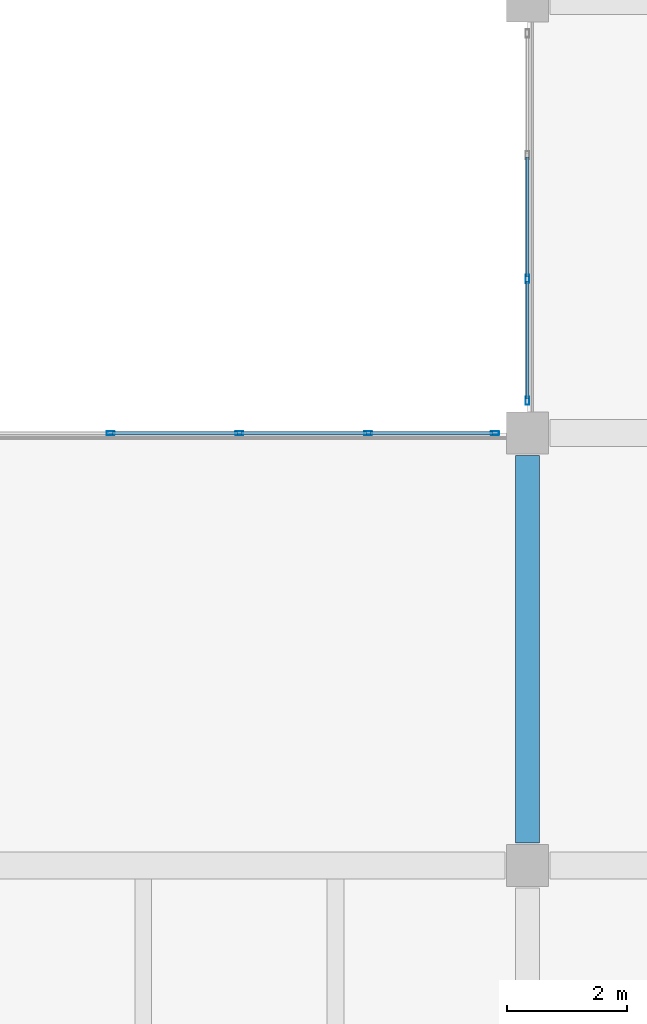
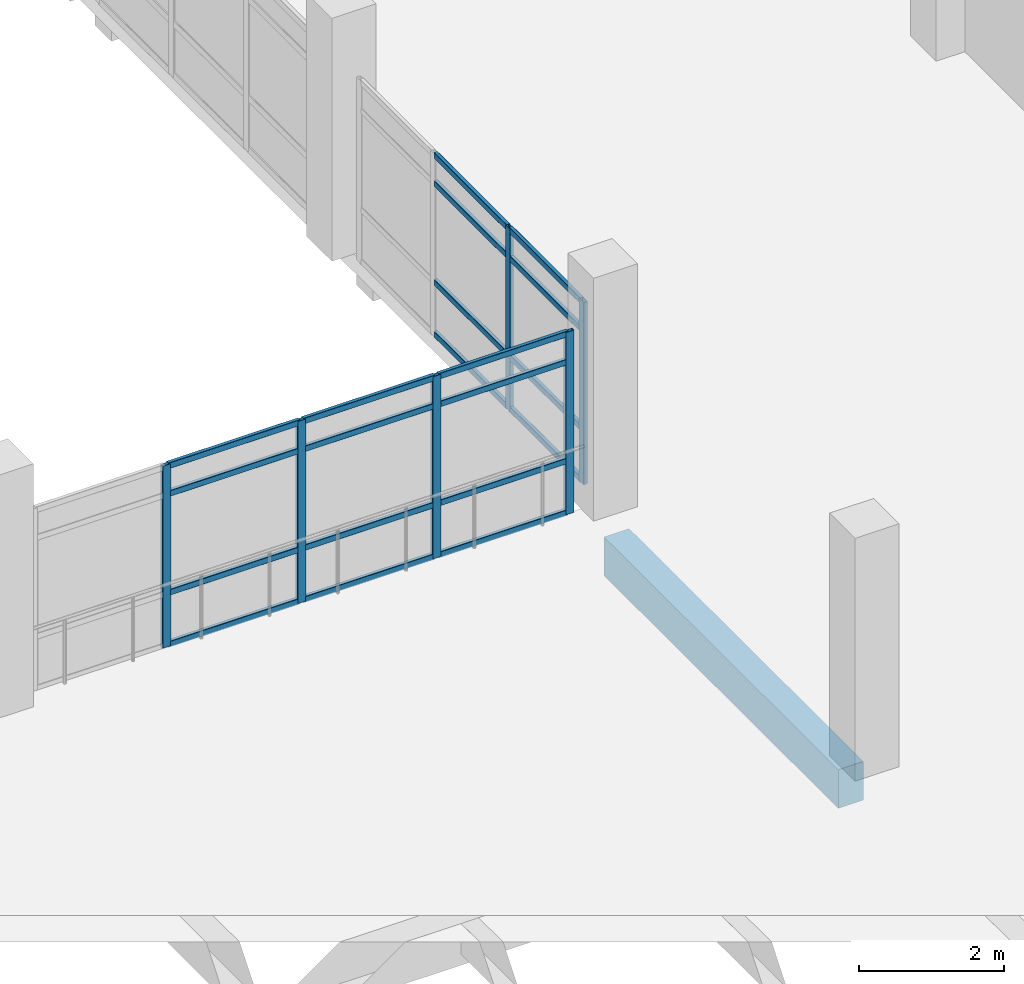
# One storey, part 114 of 180: 26 members, 1 beam, 2 elements without a shape of their own.
"""IFC4 building model written with IfcOpenShell, lengths in metres."""

from ifc_helpers import new_model, si_unit, direction, frame, origin, origin_2d, place, context, subcontext, project, spatial, rectangle, hollow_rectangle, extrude, material, layer, layer_set, material_profile, profile_set, type_object, element, aggregate, save


model = new_model("IFC4")

# Units and contexts
model_context = context("Model", 3, precision=1e-05, world=origin(), true_north=direction((0.0, 1.0)))
body_context = subcontext(model_context, "Body", "Model", "MODEL_VIEW")
ifc_project = project(units=[si_unit("LENGTHUNIT", "METRE"), si_unit("AREAUNIT", "SQUARE_METRE"), si_unit("VOLUMEUNIT", "CUBIC_METRE"), si_unit("PLANEANGLEUNIT", "RADIAN"), si_unit("MASSUNIT", "GRAM", prefix="KILO")], contexts=[model_context])

# Site, building, storey
site_placement = place(None, origin())
site = spatial("IfcSite", under=ifc_project, at=site_placement, CompositionType="ELEMENT")
building_placement = place(site_placement, origin())
building = spatial("IfcBuilding", under=site, at=building_placement, Name="Asteropetra Specialist Clinic", CompositionType="ELEMENT")
storey_placement = place(building_placement, frame((0.0, 0.0, 4.419921875)))
storey = spatial("IfcBuildingStorey", under=building, at=storey_placement, Name="L01", CompositionType="ELEMENT", Elevation=4.419921875)

# Beam
ifc_material_1 = material(Name="Concrete C35/45", Category="concrete")
ifc_material_profile_1 = material_profile(ifc_material_1, rectangle(XDim=0.39990234375, YDim=0.64990234375, at=origin_2d()), Name="RCB 400x650")
ifc_profile_set_1 = profile_set([ifc_material_profile_1], Name="Concrete C35/45")
beam_type = type_object("IfcBeamType", Name="BM-RC400x650", PredefinedType="BEAM", material=ifc_profile_set_1)
beam_placement = place(storey_placement, frame((134.39990234375, 12.375, -0.625), z_axis=(0.0, 1.0, 0.0), x_axis=(-1.0, 0.0, 0.0)))
element("IfcBeam", 1, at=beam_placement, inside=storey, type_object=beam_type, Name="Beam BBM07-0476", PredefinedType="BEAM", context=body_context, shape_type="SweptSolid", body=[
    extrude(rectangle(XDim=0.39990234375, YDim=0.64990234375, at=origin_2d()), origin(), (0.0, 0.0, 1.0), 6.449951171875),
])

# Curtain wall, members
ifc_material_2 = material(Name="Aluminium and low-E glass", Category="aluminium")
ifc_layer_1 = layer(ifc_material_2, 0.14990234375)
ifc_layer_set_1 = layer_set([ifc_layer_1], Name="Aluminium and low-E glass")
curtain_wall_type_1 = type_object("IfcCurtainWallType", Name="CW-SYS-08", PredefinedType="USERDEFINED", material=ifc_layer_set_1)
curtain_wall_1_placement = place(storey_placement, origin())
curtain_wall_1 = element("IfcCurtainWall", 2, at=curtain_wall_1_placement, inside=storey, type_object=curtain_wall_type_1, Name="Curtain Wall CW-071", ObjectType="STICK GLAZED COLONNADE", PredefinedType="USERDEFINED")
ifc_material_3 = material(Name="Aluminium 6063-T6", Category="aluminium")
ifc_material_profile_2 = material_profile(ifc_material_3, hollow_rectangle(XDim=0.06005859375, YDim=0.135009765625, WallThickness=0.00341796875, InnerFilletRadius=0.00341796875, OuterFilletRadius=0.007080078125, at=origin_2d()), Name="MUL 135x60x3.5")
ifc_profile_set_2 = profile_set([ifc_material_profile_2], Name="Aluminium 6063-T6")
member_type_1 = type_object("IfcMemberType", Name="CWM-135x60", PredefinedType="MULLION", material=ifc_profile_set_2)
member_1_placement = place(storey_placement, frame((127.455078125, 19.199951171875, 0.0), z_axis=(0.0, 0.0, 1.0), x_axis=(0.0, 1.0, 0.0)))
member_1 = element("IfcMember", 3, at=member_1_placement, type_object=member_type_1, Name="CW-071 mullion 2", PredefinedType="MULLION", context=body_context, shape_type="SweptSolid", body=[
    extrude(hollow_rectangle(XDim=0.06005859375, YDim=0.135009765625, WallThickness=0.00341796875, InnerFilletRadius=0.00341796875, OuterFilletRadius=0.007080078125, at=origin_2d()), origin(), (0.0, 0.0, 1.0), 3.06005859375),
])
member_2_placement = place(storey_placement, frame((129.60009765625, 19.199951171875, 0.0), z_axis=(0.0, 0.0, 1.0), x_axis=(0.0, 1.0, 0.0)))
member_2 = element("IfcMember", 4, at=member_2_placement, type_object=member_type_1, Name="CW-071 mullion 3", PredefinedType="MULLION", context=body_context, shape_type="SweptSolid", body=[
    extrude(hollow_rectangle(XDim=0.06005859375, YDim=0.135009765625, WallThickness=0.00341796875, InnerFilletRadius=0.00341796875, OuterFilletRadius=0.007080078125, at=origin_2d()), origin(), (0.0, 0.0, 1.0), 3.06005859375),
])
member_3_placement = place(storey_placement, frame((131.7451171875, 19.199951171875, 0.0), z_axis=(0.0, 0.0, 1.0), x_axis=(0.0, 1.0, 0.0)))
member_3 = element("IfcMember", 5, at=member_3_placement, type_object=member_type_1, Name="CW-071 mullion 4", PredefinedType="MULLION", context=body_context, shape_type="SweptSolid", body=[
    extrude(hollow_rectangle(XDim=0.06005859375, YDim=0.135009765625, WallThickness=0.00341796875, InnerFilletRadius=0.00341796875, OuterFilletRadius=0.007080078125, at=origin_2d()), origin(), (0.0, 0.0, 1.0), 3.06005859375),
])
member_4_placement = place(storey_placement, frame((133.860107421875, 19.199951171875, 0.0), z_axis=(0.0, 0.0, 1.0), x_axis=(0.0, 1.0, 0.0)))
member_4 = element("IfcMember", 6, at=member_4_placement, type_object=member_type_1, Name="CW-071 mullion 5", PredefinedType="MULLION", context=body_context, shape_type="SweptSolid", body=[
    extrude(hollow_rectangle(XDim=0.06005859375, YDim=0.135009765625, WallThickness=0.00341796875, InnerFilletRadius=0.00341796875, OuterFilletRadius=0.007080078125, at=origin_2d()), origin(), (0.0, 0.0, 1.0), 3.06005859375),
])

ifc_material_4 = material(Name="Aluminium and low-E glass", Category="aluminium")
ifc_layer_2 = layer(ifc_material_4, 0.14990234375)
ifc_layer_set_2 = layer_set([ifc_layer_2], Name="Aluminium and low-E glass")
curtain_wall_type_2 = type_object("IfcCurtainWallType", Name="CW-SYS-11", PredefinedType="USERDEFINED", material=ifc_layer_set_2)
curtain_wall_2_placement = place(storey_placement, origin())
curtain_wall_2 = element("IfcCurtainWall", 7, at=curtain_wall_2_placement, inside=storey, type_object=curtain_wall_type_2, Name="Curtain Wall CW-074", ObjectType="STICK GLAZED COLONNADE", PredefinedType="USERDEFINED")
member_5_placement = place(storey_placement, frame((134.39990234375, 19.739990234375, 0.0), z_axis=(0.0, 0.0, 1.0), x_axis=(-1.0, 0.0, 0.0)))
member_5 = element("IfcMember", 8, at=member_5_placement, type_object=member_type_1, Name="CW-074 mullion 1", PredefinedType="MULLION", context=body_context, shape_type="SweptSolid", body=[
    extrude(hollow_rectangle(XDim=0.06005859375, YDim=0.135009765625, WallThickness=0.00341796875, InnerFilletRadius=0.00341796875, OuterFilletRadius=0.007080078125, at=origin_2d()), origin(), (0.0, 0.0, 1.0), 3.06005859375),
])
member_6_placement = place(storey_placement, frame((134.39990234375, 21.77001953125, 0.0), z_axis=(0.0, 0.0, 1.0), x_axis=(-1.0, 0.0, 0.0)))
member_6 = element("IfcMember", 9, at=member_6_placement, type_object=member_type_1, Name="CW-074 mullion 2", PredefinedType="MULLION", context=body_context, shape_type="SweptSolid", body=[
    extrude(hollow_rectangle(XDim=0.06005859375, YDim=0.135009765625, WallThickness=0.00341796875, InnerFilletRadius=0.00341796875, OuterFilletRadius=0.007080078125, at=origin_2d()), origin(), (0.0, 0.0, 1.0), 3.06005859375),
])

# Member
ifc_material_5 = material(Name="Aluminium 6063-T6", Category="aluminium")
ifc_material_profile_3 = material_profile(ifc_material_5, hollow_rectangle(XDim=0.06005859375, YDim=0.10009765625, WallThickness=0.00341796875, InnerFilletRadius=0.00341796875, OuterFilletRadius=0.007080078125, at=origin_2d()), Name="TRN 100x60x3.5")
ifc_profile_set_3 = profile_set([ifc_material_profile_3], Name="Aluminium 6063-T6")
member_type_2 = type_object("IfcMemberType", Name="CWT-100x60", PredefinedType="USERDEFINED", material=ifc_profile_set_3)
member_7_placement = place(storey_placement, frame((127.485107421875, 19.199951171875, 0.030029296875), z_axis=(1.0, 0.0, 0.0), x_axis=(0.0, 1.0, 0.0)))
member_7 = element("IfcMember", 10, at=member_7_placement, type_object=member_type_2, Name="CW-071 transom 2.1", ObjectType="TRANSOM", PredefinedType="USERDEFINED", context=body_context, shape_type="SweptSolid", body=[
    extrude(hollow_rectangle(XDim=0.06005859375, YDim=0.10009765625, WallThickness=0.00341796875, InnerFilletRadius=0.00341796875, OuterFilletRadius=0.007080078125, at=origin_2d()), origin(), (0.0, 0.0, 1.0), 2.0849609375),
])

member_8_placement = place(storey_placement, frame((127.485107421875, 19.199951171875, 0.900146484375), z_axis=(1.0, 0.0, 0.0), x_axis=(0.0, 1.0, 0.0)))
member_8 = element("IfcMember", 11, at=member_8_placement, type_object=member_type_2, Name="CW-071 transom 2.2", ObjectType="TRANSOM", PredefinedType="USERDEFINED", context=body_context, shape_type="SweptSolid", body=[
    extrude(hollow_rectangle(XDim=0.06005859375, YDim=0.10009765625, WallThickness=0.00341796875, InnerFilletRadius=0.00341796875, OuterFilletRadius=0.007080078125, at=origin_2d()), origin(), (0.0, 0.0, 1.0), 2.0849609375),
])

member_9_placement = place(storey_placement, frame((127.485107421875, 19.199951171875, 2.56005859375), z_axis=(1.0, 0.0, 0.0), x_axis=(0.0, 1.0, 0.0)))
member_9 = element("IfcMember", 12, at=member_9_placement, type_object=member_type_2, Name="CW-071 transom 2.3", ObjectType="TRANSOM", PredefinedType="USERDEFINED", context=body_context, shape_type="SweptSolid", body=[
    extrude(hollow_rectangle(XDim=0.06005859375, YDim=0.10009765625, WallThickness=0.00341796875, InnerFilletRadius=0.00341796875, OuterFilletRadius=0.007080078125, at=origin_2d()), origin(), (0.0, 0.0, 1.0), 2.0849609375),
])

member_10_placement = place(storey_placement, frame((127.485107421875, 19.199951171875, 3.030029296875), z_axis=(1.0, 0.0, 0.0), x_axis=(0.0, 1.0, 0.0)))
member_10 = element("IfcMember", 13, at=member_10_placement, type_object=member_type_2, Name="CW-071 transom 2.4", ObjectType="TRANSOM", PredefinedType="USERDEFINED", context=body_context, shape_type="SweptSolid", body=[
    extrude(hollow_rectangle(XDim=0.06005859375, YDim=0.10009765625, WallThickness=0.00341796875, InnerFilletRadius=0.00341796875, OuterFilletRadius=0.007080078125, at=origin_2d()), origin(), (0.0, 0.0, 1.0), 2.0849609375),
])

member_11_placement = place(storey_placement, frame((129.6298828125, 19.199951171875, 0.030029296875), z_axis=(1.0, 0.0, 0.0), x_axis=(0.0, 1.0, 0.0)))
member_11 = element("IfcMember", 14, at=member_11_placement, type_object=member_type_2, Name="CW-071 transom 3.1", ObjectType="TRANSOM", PredefinedType="USERDEFINED", context=body_context, shape_type="SweptSolid", body=[
    extrude(hollow_rectangle(XDim=0.06005859375, YDim=0.10009765625, WallThickness=0.00341796875, InnerFilletRadius=0.00341796875, OuterFilletRadius=0.007080078125, at=origin_2d()), origin(), (0.0, 0.0, 1.0), 2.085205078125),
])

member_12_placement = place(storey_placement, frame((129.6298828125, 19.199951171875, 0.900146484375), z_axis=(1.0, 0.0, 0.0), x_axis=(0.0, 1.0, 0.0)))
member_12 = element("IfcMember", 15, at=member_12_placement, type_object=member_type_2, Name="CW-071 transom 3.2", ObjectType="TRANSOM", PredefinedType="USERDEFINED", context=body_context, shape_type="SweptSolid", body=[
    extrude(hollow_rectangle(XDim=0.06005859375, YDim=0.10009765625, WallThickness=0.00341796875, InnerFilletRadius=0.00341796875, OuterFilletRadius=0.007080078125, at=origin_2d()), origin(), (0.0, 0.0, 1.0), 2.085205078125),
])

member_13_placement = place(storey_placement, frame((129.6298828125, 19.199951171875, 2.56005859375), z_axis=(1.0, 0.0, 0.0), x_axis=(0.0, 1.0, 0.0)))
member_13 = element("IfcMember", 16, at=member_13_placement, type_object=member_type_2, Name="CW-071 transom 3.3", ObjectType="TRANSOM", PredefinedType="USERDEFINED", context=body_context, shape_type="SweptSolid", body=[
    extrude(hollow_rectangle(XDim=0.06005859375, YDim=0.10009765625, WallThickness=0.00341796875, InnerFilletRadius=0.00341796875, OuterFilletRadius=0.007080078125, at=origin_2d()), origin(), (0.0, 0.0, 1.0), 2.085205078125),
])

member_14_placement = place(storey_placement, frame((129.6298828125, 19.199951171875, 3.030029296875), z_axis=(1.0, 0.0, 0.0), x_axis=(0.0, 1.0, 0.0)))
member_14 = element("IfcMember", 17, at=member_14_placement, type_object=member_type_2, Name="CW-071 transom 3.4", ObjectType="TRANSOM", PredefinedType="USERDEFINED", context=body_context, shape_type="SweptSolid", body=[
    extrude(hollow_rectangle(XDim=0.06005859375, YDim=0.10009765625, WallThickness=0.00341796875, InnerFilletRadius=0.00341796875, OuterFilletRadius=0.007080078125, at=origin_2d()), origin(), (0.0, 0.0, 1.0), 2.085205078125),
])

member_15_placement = place(storey_placement, frame((131.77490234375, 19.199951171875, 0.030029296875), z_axis=(1.0, 0.0, 0.0), x_axis=(0.0, 1.0, 0.0)))
member_15 = element("IfcMember", 18, at=member_15_placement, type_object=member_type_2, Name="CW-071 transom 4.1", ObjectType="TRANSOM", PredefinedType="USERDEFINED", context=body_context, shape_type="SweptSolid", body=[
    extrude(hollow_rectangle(XDim=0.06005859375, YDim=0.10009765625, WallThickness=0.00341796875, InnerFilletRadius=0.00341796875, OuterFilletRadius=0.007080078125, at=origin_2d()), origin(), (0.0, 0.0, 1.0), 2.05517578125),
])

member_16_placement = place(storey_placement, frame((131.77490234375, 19.199951171875, 0.900146484375), z_axis=(1.0, 0.0, 0.0), x_axis=(0.0, 1.0, 0.0)))
member_16 = element("IfcMember", 19, at=member_16_placement, type_object=member_type_2, Name="CW-071 transom 4.2", ObjectType="TRANSOM", PredefinedType="USERDEFINED", context=body_context, shape_type="SweptSolid", body=[
    extrude(hollow_rectangle(XDim=0.06005859375, YDim=0.10009765625, WallThickness=0.00341796875, InnerFilletRadius=0.00341796875, OuterFilletRadius=0.007080078125, at=origin_2d()), origin(), (0.0, 0.0, 1.0), 2.05517578125),
])

member_17_placement = place(storey_placement, frame((131.77490234375, 19.199951171875, 2.56005859375), z_axis=(1.0, 0.0, 0.0), x_axis=(0.0, 1.0, 0.0)))
member_17 = element("IfcMember", 20, at=member_17_placement, type_object=member_type_2, Name="CW-071 transom 4.3", ObjectType="TRANSOM", PredefinedType="USERDEFINED", context=body_context, shape_type="SweptSolid", body=[
    extrude(hollow_rectangle(XDim=0.06005859375, YDim=0.10009765625, WallThickness=0.00341796875, InnerFilletRadius=0.00341796875, OuterFilletRadius=0.007080078125, at=origin_2d()), origin(), (0.0, 0.0, 1.0), 2.05517578125),
])

member_18_placement = place(storey_placement, frame((131.77490234375, 19.199951171875, 3.030029296875), z_axis=(1.0, 0.0, 0.0), x_axis=(0.0, 1.0, 0.0)))
member_18 = element("IfcMember", 21, at=member_18_placement, type_object=member_type_2, Name="CW-071 transom 4.4", ObjectType="TRANSOM", PredefinedType="USERDEFINED", context=body_context, shape_type="SweptSolid", body=[
    extrude(hollow_rectangle(XDim=0.06005859375, YDim=0.10009765625, WallThickness=0.00341796875, InnerFilletRadius=0.00341796875, OuterFilletRadius=0.007080078125, at=origin_2d()), origin(), (0.0, 0.0, 1.0), 2.05517578125),
])

aggregate(curtain_wall_1, [member_1, member_2, member_3, member_4, member_7, member_8, member_9, member_10, member_11, member_12, member_13, member_14, member_15, member_16, member_17, member_18])

member_19_placement = place(storey_placement, frame((134.39990234375, 19.77001953125, 0.030029296875), z_axis=(0.0, 1.0, 0.0), x_axis=(-1.0, 0.0, 0.0)))
member_19 = element("IfcMember", 22, at=member_19_placement, type_object=member_type_2, Name="CW-074 transom 1.1", ObjectType="TRANSOM", PredefinedType="USERDEFINED", context=body_context, shape_type="SweptSolid", body=[
    extrude(hollow_rectangle(XDim=0.06005859375, YDim=0.10009765625, WallThickness=0.00341796875, InnerFilletRadius=0.00341796875, OuterFilletRadius=0.007080078125, at=origin_2d()), origin(), (0.0, 0.0, 1.0), 1.969970703125),
])

member_20_placement = place(storey_placement, frame((134.39990234375, 19.77001953125, 0.900146484375), z_axis=(0.0, 1.0, 0.0), x_axis=(-1.0, 0.0, 0.0)))
member_20 = element("IfcMember", 23, at=member_20_placement, type_object=member_type_2, Name="CW-074 transom 1.2", ObjectType="TRANSOM", PredefinedType="USERDEFINED", context=body_context, shape_type="SweptSolid", body=[
    extrude(hollow_rectangle(XDim=0.06005859375, YDim=0.10009765625, WallThickness=0.00341796875, InnerFilletRadius=0.00341796875, OuterFilletRadius=0.007080078125, at=origin_2d()), origin(), (0.0, 0.0, 1.0), 1.969970703125),
])

member_21_placement = place(storey_placement, frame((134.39990234375, 19.77001953125, 2.56005859375), z_axis=(0.0, 1.0, 0.0), x_axis=(-1.0, 0.0, 0.0)))
member_21 = element("IfcMember", 24, at=member_21_placement, type_object=member_type_2, Name="CW-074 transom 1.3", ObjectType="TRANSOM", PredefinedType="USERDEFINED", context=body_context, shape_type="SweptSolid", body=[
    extrude(hollow_rectangle(XDim=0.06005859375, YDim=0.10009765625, WallThickness=0.00341796875, InnerFilletRadius=0.00341796875, OuterFilletRadius=0.007080078125, at=origin_2d()), origin(), (0.0, 0.0, 1.0), 1.969970703125),
])

member_22_placement = place(storey_placement, frame((134.39990234375, 19.77001953125, 3.030029296875), z_axis=(0.0, 1.0, 0.0), x_axis=(-1.0, 0.0, 0.0)))
member_22 = element("IfcMember", 25, at=member_22_placement, type_object=member_type_2, Name="CW-074 transom 1.4", ObjectType="TRANSOM", PredefinedType="USERDEFINED", context=body_context, shape_type="SweptSolid", body=[
    extrude(hollow_rectangle(XDim=0.06005859375, YDim=0.10009765625, WallThickness=0.00341796875, InnerFilletRadius=0.00341796875, OuterFilletRadius=0.007080078125, at=origin_2d()), origin(), (0.0, 0.0, 1.0), 1.969970703125),
])

member_23_placement = place(storey_placement, frame((134.39990234375, 21.800048828125, 0.030029296875), z_axis=(0.0, 1.0, 0.0), x_axis=(-1.0, 0.0, 0.0)))
member_23 = element("IfcMember", 26, at=member_23_placement, type_object=member_type_2, Name="CW-074 transom 2.1", ObjectType="TRANSOM", PredefinedType="USERDEFINED", context=body_context, shape_type="SweptSolid", body=[
    extrude(hollow_rectangle(XDim=0.06005859375, YDim=0.10009765625, WallThickness=0.00341796875, InnerFilletRadius=0.00341796875, OuterFilletRadius=0.007080078125, at=origin_2d()), origin(), (0.0, 0.0, 1.0), 2.0),
])

member_24_placement = place(storey_placement, frame((134.39990234375, 21.800048828125, 0.900146484375), z_axis=(0.0, 1.0, 0.0), x_axis=(-1.0, 0.0, 0.0)))
member_24 = element("IfcMember", 27, at=member_24_placement, type_object=member_type_2, Name="CW-074 transom 2.2", ObjectType="TRANSOM", PredefinedType="USERDEFINED", context=body_context, shape_type="SweptSolid", body=[
    extrude(hollow_rectangle(XDim=0.06005859375, YDim=0.10009765625, WallThickness=0.00341796875, InnerFilletRadius=0.00341796875, OuterFilletRadius=0.007080078125, at=origin_2d()), origin(), (0.0, 0.0, 1.0), 2.0),
])

member_25_placement = place(storey_placement, frame((134.39990234375, 21.800048828125, 2.56005859375), z_axis=(0.0, 1.0, 0.0), x_axis=(-1.0, 0.0, 0.0)))
member_25 = element("IfcMember", 28, at=member_25_placement, type_object=member_type_2, Name="CW-074 transom 2.3", ObjectType="TRANSOM", PredefinedType="USERDEFINED", context=body_context, shape_type="SweptSolid", body=[
    extrude(hollow_rectangle(XDim=0.06005859375, YDim=0.10009765625, WallThickness=0.00341796875, InnerFilletRadius=0.00341796875, OuterFilletRadius=0.007080078125, at=origin_2d()), origin(), (0.0, 0.0, 1.0), 2.0),
])

member_26_placement = place(storey_placement, frame((134.39990234375, 21.800048828125, 3.030029296875), z_axis=(0.0, 1.0, 0.0), x_axis=(-1.0, 0.0, 0.0)))
member_26 = element("IfcMember", 29, at=member_26_placement, type_object=member_type_2, Name="CW-074 transom 2.4", ObjectType="TRANSOM", PredefinedType="USERDEFINED", context=body_context, shape_type="SweptSolid", body=[
    extrude(hollow_rectangle(XDim=0.06005859375, YDim=0.10009765625, WallThickness=0.00341796875, InnerFilletRadius=0.00341796875, OuterFilletRadius=0.007080078125, at=origin_2d()), origin(), (0.0, 0.0, 1.0), 2.0),
])

aggregate(curtain_wall_2, [member_5, member_6, member_19, member_20, member_21, member_22, member_23, member_24, member_25, member_26])

save(model, "model.ifc")
